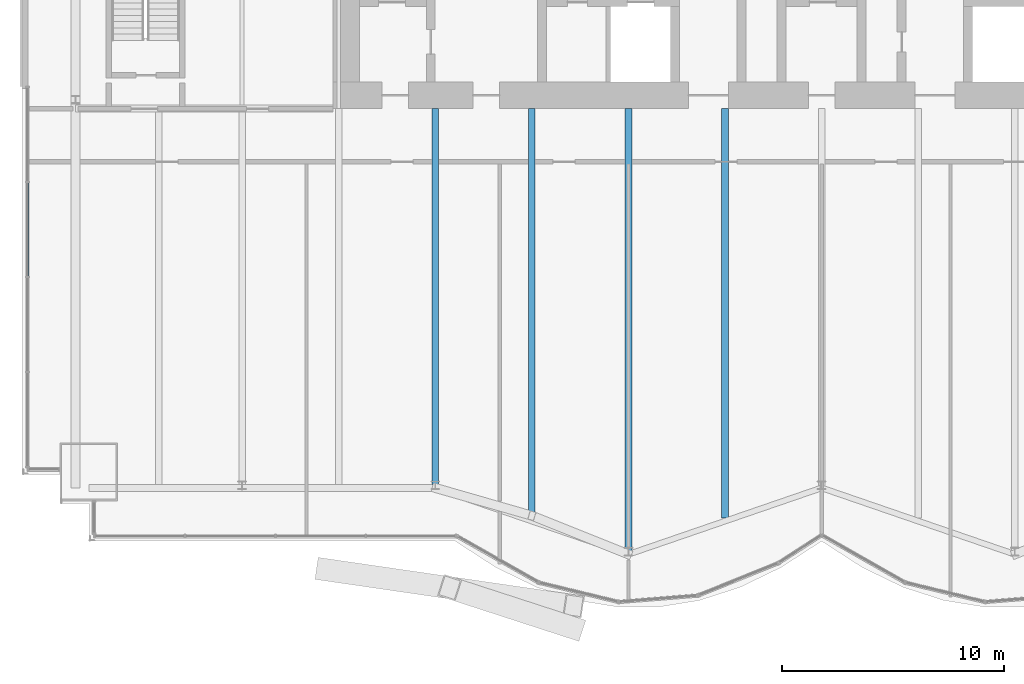
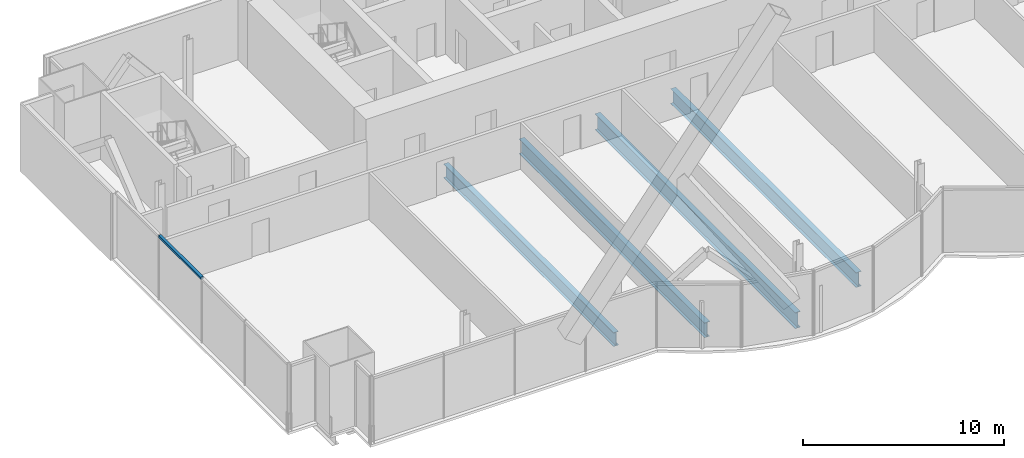
# One storey, part 7 of 22: 4 beams, 1 member, 1 element without a shape of its own.
"""IFC4 building model written with IfcOpenShell, lengths in metres."""

from ifc_helpers import new_model, si_unit, direction, frame, origin, origin_2d, place, context, subcontext, project, spatial, rectangle, i_section, extrude, material, material_profile, profile_set, type_object, element, aggregate, save


model = new_model("IFC4")

# Units and contexts
model_context = context("Model", 3, precision=1e-05, world=origin(), true_north=direction((0.0, 1.0)))
body_context = subcontext(model_context, "Body", "Model", "MODEL_VIEW")
ifc_project = project(units=[si_unit("LENGTHUNIT", "METRE"), si_unit("AREAUNIT", "SQUARE_METRE"), si_unit("VOLUMEUNIT", "CUBIC_METRE"), si_unit("PLANEANGLEUNIT", "RADIAN"), si_unit("MASSUNIT", "GRAM", prefix="KILO")], contexts=[model_context])

# Site, building, storey
site_placement = place(None, origin())
site = spatial("IfcSite", under=ifc_project, at=site_placement, CompositionType="ELEMENT")
building_placement = place(site_placement, origin())
building = spatial("IfcBuilding", under=site, at=building_placement, Name="Bicima Exchange Tower", CompositionType="ELEMENT")
storey_placement = place(building_placement, frame((0.0, 0.0, 203.199951171875)))
storey = spatial("IfcBuildingStorey", under=building, at=storey_placement, Name="L45", CompositionType="ELEMENT", Elevation=203.199951171875)

# Curtain wall, member
ifc_material_1 = material(Name="Anodised bronze aluminium", Category="aluminium")
curtain_wall_type = type_object("IfcCurtainWallType", Name="End face glass wall", PredefinedType="NOTDEFINED", material=ifc_material_1)
curtain_wall_placement = place(storey_placement, origin())
curtain_wall = element("IfcCurtainWall", 1, at=curtain_wall_placement, inside=storey, type_object=curtain_wall_type, Name="End face glass wall L45 run 2", PredefinedType="NOTDEFINED")
ifc_material_profile_1 = material_profile(ifc_material_1, rectangle(XDim=0.159912109375, YDim=0.139892578125, at=origin_2d()))
ifc_profile_set_1 = profile_set([ifc_material_profile_1], Name="Anodised bronze aluminium")
member_type = type_object("IfcMemberType", Name="End face glass wall transom 140 x 160", PredefinedType="USERDEFINED", material=ifc_profile_set_1)
member_placement = place(storey_placement, frame((-35.77001953125, -16.33837890625, 3.880126953125), z_axis=(0.0, -1.0, 0.0), x_axis=(1.0, 0.0, 0.0)))
member = element("IfcMember", 2, at=member_placement, type_object=member_type, Name="End face glass wall transom 2.1", ObjectType="TRANSOM", PredefinedType="USERDEFINED", context=body_context, shape_type="SweptSolid", body=[
    extrude(rectangle(XDim=0.159912109375, YDim=0.139892578125, at=origin_2d()), origin(), (0.0, 0.0, 1.0), 4.218505859375),
])
aggregate(curtain_wall, [member])

# Beams
ifc_material_2 = material(Name="Steel ASTM A992 Gr 50", Category="steel")
ifc_material_profile_2 = material_profile(ifc_material_2, i_section(OverallWidth=0.2919921875, OverallDepth=0.835693359375, WebThickness=0.013916015625, FlangeThickness=0.018798828125, at=origin_2d()))
ifc_profile_set_2 = profile_set([ifc_material_profile_2], Name="Steel ASTM A992 Gr 50")
beam_type_1 = type_object("IfcBeamType", Name="Floor beam W33x118", PredefinedType="JOIST", material=ifc_profile_set_2)
beam_1_placement = place(storey_placement, frame((-17.39990234375, -13.0, -0.56787109375), z_axis=(0.0, -1.0, 0.0), x_axis=(1.0, 0.0, 0.0)))
element("IfcBeam", 3, at=beam_1_placement, inside=storey, type_object=beam_type_1, Name="Floor beam", PredefinedType="JOIST", context=body_context, shape_type="SweptSolid", body=[
    extrude(i_section(OverallWidth=0.2919921875, OverallDepth=0.835693359375, WebThickness=0.013916015625, FlangeThickness=0.018798828125, at=origin_2d()), origin(), (0.0, 0.0, 1.0), 16.92138671875),
])
ifc_material_profile_3 = material_profile(ifc_material_2, i_section(OverallWidth=0.3046875, OverallDepth=0.904296875, WebThickness=0.01513671875, FlangeThickness=0.02001953125, at=origin_2d()))
ifc_profile_set_3 = profile_set([ifc_material_profile_3], Name="Steel ASTM A992 Gr 50")
beam_type_2 = type_object("IfcBeamType", Name="Floor beam W36x135", PredefinedType="JOIST", material=ifc_profile_set_3)
for number, where, z_axis, x_axis, name in (
    (4, (-13.050048828125, -13.0, -0.60205078125), (0.0, -1.0, 0.0), (1.0, 0.0, 0.0), "Floor beam"),
    (5, (-4.35009765625, -13.0, -0.60205078125), (0.0, -1.0, 0.0), (1.0, 0.0, 0.0), "Floor beam"),
):
    element("IfcBeam", number, at=place(storey_placement, frame(where, z_axis=z_axis, x_axis=x_axis)), inside=storey, type_object=beam_type_2, Name=name, PredefinedType="JOIST", context=body_context, shape_type="SweptSolid", body=[
        extrude(i_section(OverallWidth=0.3046875, OverallDepth=0.904296875, WebThickness=0.01513671875, FlangeThickness=0.02001953125, at=origin_2d()), origin(), (0.0, 0.0, 1.0), 18.44384765625),
    ])
ifc_material_profile_4 = material_profile(ifc_material_2, i_section(OverallWidth=0.2998046875, OverallDepth=0.97021484375, WebThickness=0.01611328125, FlangeThickness=0.02099609375, at=origin_2d()))
ifc_profile_set_4 = profile_set([ifc_material_profile_4], Name="Steel ASTM A992 Gr 50")
beam_type_3 = type_object("IfcBeamType", Name="Floor beam W40x149", PredefinedType="JOIST", material=ifc_profile_set_4)
beam_2_placement = place(storey_placement, frame((-8.699951171875, -13.0, -0.635009765625), z_axis=(0.0, -1.0, 0.0), x_axis=(1.0, 0.0, 0.0)))
element("IfcBeam", 6, at=beam_2_placement, inside=storey, type_object=beam_type_3, Name="Floor beam", PredefinedType="JOIST", context=body_context, shape_type="SweptSolid", body=[
    extrude(i_section(OverallWidth=0.2998046875, OverallDepth=0.97021484375, WebThickness=0.01611328125, FlangeThickness=0.02099609375, at=origin_2d()), origin(), (0.0, 0.0, 1.0), 19.939453125),
])

save(model, "model.ifc")
